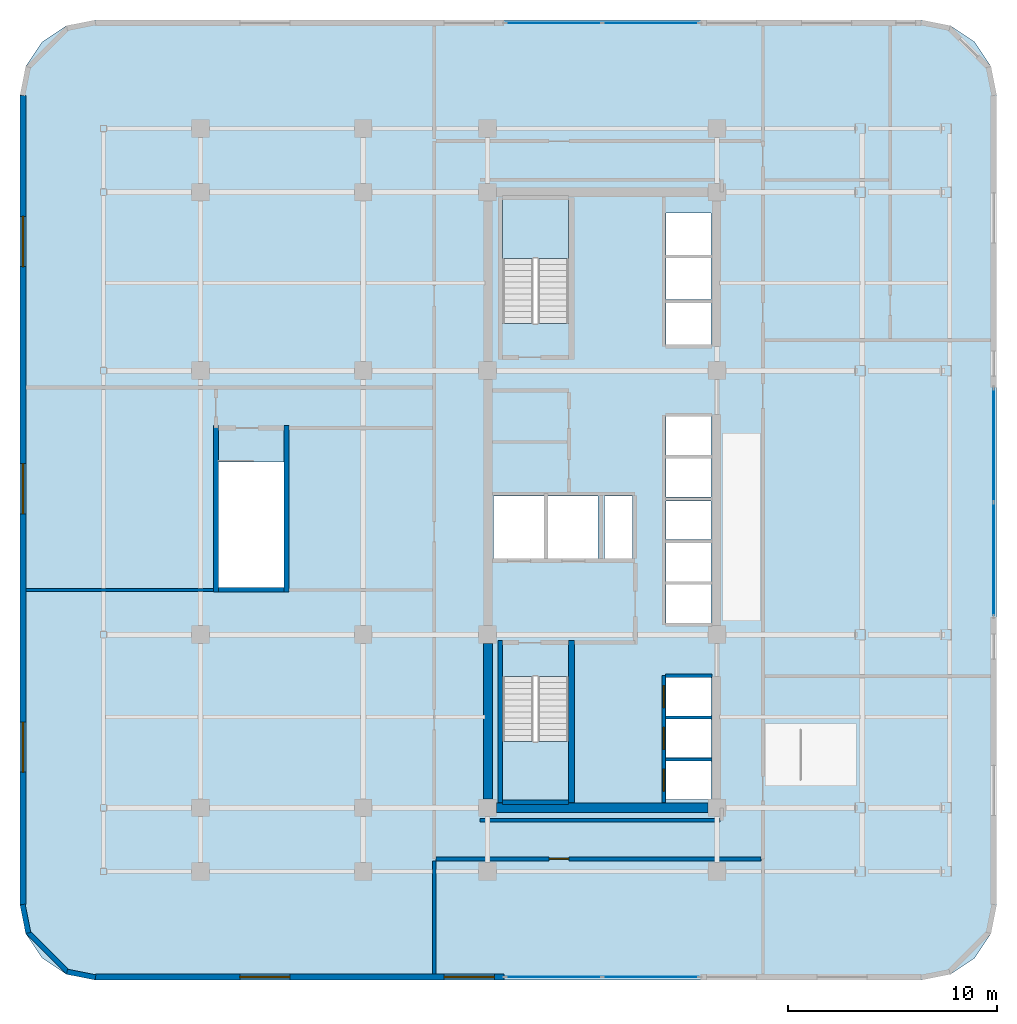
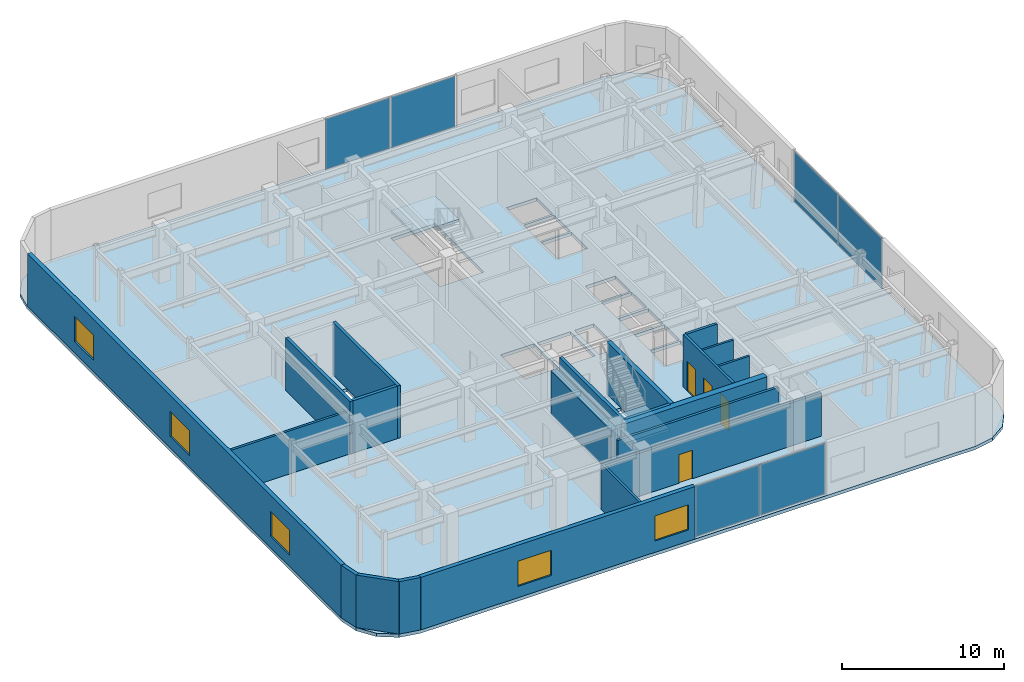
# One storey, part 8 of 13: 21 walls, 6 plates, 5 windows, 4 doors, 3 slabs, 9 openings, 5 elements without a shape of their own.
"""IFC4 building model written with IfcOpenShell, lengths in metres."""

from ifc_helpers import new_model, si_unit, direction, frame, frame_2d, origin, origin_2d, place, context, subcontext, project, spatial, polyline, rectangle, outline, extrude, material, layer, layer_set, type_object, element, fill, aggregate, save


model = new_model("IFC4")

# Units and contexts
model_context = context("Model", 3, precision=1e-05, world=origin(), true_north=direction((0.0, 1.0)))
body_context = subcontext(model_context, "Body", "Model", "MODEL_VIEW")
ifc_project = project(units=[si_unit("LENGTHUNIT", "METRE"), si_unit("AREAUNIT", "SQUARE_METRE"), si_unit("VOLUMEUNIT", "CUBIC_METRE"), si_unit("PLANEANGLEUNIT", "RADIAN"), si_unit("MASSUNIT", "GRAM", prefix="KILO")], contexts=[model_context])

# Site, building, storey
site_placement = place(None, origin())
site = spatial("IfcSite", under=ifc_project, at=site_placement, CompositionType="ELEMENT")
building_placement = place(site_placement, origin())
building = spatial("IfcBuilding", under=site, at=building_placement, Name="Ochreholt Gables", CompositionType="ELEMENT")
storey_placement = place(building_placement, frame((0.0, 0.0, 60.0)))
storey = spatial("IfcBuildingStorey", under=building, at=storey_placement, Name="L15", CompositionType="ELEMENT", Elevation=60.0)

# Curtain wall, plates
ifc_material_1 = material(Name="Unitised Aluminium and Triple Glazing", Category="aluminium")
ifc_layer_1 = layer(ifc_material_1, 0.219970703125, Name="Unitised Aluminium and Triple Glazing")
ifc_layer_set_1 = layer_set([ifc_layer_1], Name="Unitised Aluminium and Triple Glazing")
curtain_wall_type = type_object("IfcCurtainWallType", Name="CW-SYS6", PredefinedType="NOTDEFINED", material=ifc_layer_set_1)
curtain_wall_1_placement = place(storey_placement, origin())
curtain_wall_1 = element("IfcCurtainWall", 1, at=curtain_wall_1_placement, inside=storey, type_object=curtain_wall_type, Name="L15 South Unitised Curtain Wall", PredefinedType="NOTDEFINED")
ifc_material_2 = material(Name="Triple Low-E Insulating Glass", Category="glass")
ifc_layer_2 = layer(ifc_material_2, 0.0419921875, Name="Triple Low-E Insulating Glass")
ifc_layer_set_2 = layer_set([ifc_layer_2], Name="Triple Low-E Insulating Glass")
plate_type = type_object("IfcPlateType", Name="CW-PNL-42", PredefinedType="CURTAIN_PANEL", material=ifc_layer_set_2)
plate_1_placement = place(storey_placement, frame((27.36865234375, 1.14501953125, 0.074951171875), z_axis=(0.0, 0.0, 1.0), x_axis=(1.0, 0.0, 0.0)))
plate_1 = element("IfcPlate", 2, at=plate_1_placement, type_object=plate_type, Name="CW-6 panel 1.1", PredefinedType="CURTAIN_PANEL", context=body_context, shape_type="SweptSolid", body=[
    extrude(rectangle(XDim=4.58740234375, YDim=0.0419921875, at=origin_2d()), origin(), (0.0, 0.0, 1.0), 3.81005859375),
])
plate_2_placement = place(storey_placement, frame((32.03125, 1.14501953125, 0.074951171875), z_axis=(0.0, 0.0, 1.0), x_axis=(1.0, 0.0, 0.0)))
plate_2 = element("IfcPlate", 3, at=plate_2_placement, type_object=plate_type, Name="CW-6 panel 2.1", PredefinedType="CURTAIN_PANEL", context=body_context, shape_type="SweptSolid", body=[
    extrude(rectangle(XDim=4.58740234375, YDim=0.0419921875, at=origin_2d()), origin(), (0.0, 0.0, 1.0), 3.81005859375),
])
aggregate(curtain_wall_1, [plate_1, plate_2])

curtain_wall_2_placement = place(storey_placement, origin())
curtain_wall_2 = element("IfcCurtainWall", 4, at=curtain_wall_2_placement, inside=storey, type_object=curtain_wall_type, Name="L15 East Unitised Curtain Wall", PredefinedType="NOTDEFINED")
plate_3_placement = place(storey_placement, frame((48.455078125, 21.168701171875, 0.074951171875), z_axis=(0.0, 0.0, 1.0), x_axis=(0.0, 1.0, 0.0)))
plate_3 = element("IfcPlate", 5, at=plate_3_placement, type_object=plate_type, Name="CW-6 panel 1.1", PredefinedType="CURTAIN_PANEL", context=body_context, shape_type="SweptSolid", body=[
    extrude(rectangle(XDim=5.387451171875, YDim=0.0419921875, at=origin_2d()), origin(), (0.0, 0.0, 1.0), 3.81005859375),
])
plate_4_placement = place(storey_placement, frame((48.455078125, 26.63134765625, 0.074951171875), z_axis=(0.0, 0.0, 1.0), x_axis=(0.0, 1.0, 0.0)))
plate_4 = element("IfcPlate", 6, at=plate_4_placement, type_object=plate_type, Name="CW-6 panel 2.1", PredefinedType="CURTAIN_PANEL", context=body_context, shape_type="SweptSolid", body=[
    extrude(rectangle(XDim=5.387451171875, YDim=0.0419921875, at=origin_2d()), origin(), (0.0, 0.0, 1.0), 3.81005859375),
])
aggregate(curtain_wall_2, [plate_3, plate_4])

curtain_wall_3_placement = place(storey_placement, origin())
curtain_wall_3 = element("IfcCurtainWall", 7, at=curtain_wall_3_placement, inside=storey, type_object=curtain_wall_type, Name="L15 North Unitised Curtain Wall", PredefinedType="NOTDEFINED")
plate_5_placement = place(storey_placement, frame((32.03125, 46.85498046875, 0.074951171875), z_axis=(0.0, 0.0, 1.0), x_axis=(-1.0, 0.0, 0.0)))
plate_5 = element("IfcPlate", 8, at=plate_5_placement, type_object=plate_type, Name="CW-6 panel 1.1", PredefinedType="CURTAIN_PANEL", context=body_context, shape_type="SweptSolid", body=[
    extrude(rectangle(XDim=4.58740234375, YDim=0.0419921875, at=origin_2d()), origin(), (0.0, 0.0, 1.0), 3.81005859375),
])
plate_6_placement = place(storey_placement, frame((27.36865234375, 46.85498046875, 0.074951171875), z_axis=(0.0, 0.0, 1.0), x_axis=(-1.0, 0.0, 0.0)))
plate_6 = element("IfcPlate", 9, at=plate_6_placement, type_object=plate_type, Name="CW-6 panel 2.1", PredefinedType="CURTAIN_PANEL", context=body_context, shape_type="SweptSolid", body=[
    extrude(rectangle(XDim=4.58740234375, YDim=0.0419921875, at=origin_2d()), origin(), (0.0, 0.0, 1.0), 3.81005859375),
])
aggregate(curtain_wall_3, [plate_5, plate_6])

# Stair, slab
ifc_material_3 = material(Name="Concrete 40 MPa", Category="concrete")
stair_type_1 = type_object("IfcStairType", Name="STAIR-CORE-ST-1", PredefinedType="HALF_TURN_STAIR", material=ifc_material_3)
stair_1_placement = place(storey_placement, origin())
stair_1 = element("IfcStair", 10, at=stair_1_placement, inside=storey, type_object=stair_type_1, Name="L15 Core Exit Stair 1", PredefinedType="HALF_TURN_STAIR")
ifc_layer_3 = layer(ifc_material_3, 0.199951171875, Name="Concrete 40 MPa")
ifc_layer_set_3 = layer_set([ifc_layer_3], Name="Concrete 40 MPa")
slab_type_1 = type_object("IfcSlabType", Name="LANDING-RC200", PredefinedType="LANDING", material=ifc_layer_set_3)
slab_1_placement = place(storey_placement, frame((0.0, 0.0, 1.89990234375)))
slab_1 = element("IfcSlab", 11, at=slab_1_placement, type_object=slab_type_1, Name="ST-1 landing 1", PredefinedType="LANDING", context=body_context, shape_type="SweptSolid", body=[
    extrude(outline(polyline([(24.919921875, 12.43798828125), (24.919921875, 9.52001953125), (28.080078125, 9.52001953125), (28.080078125, 12.43798828125), (24.919921875, 12.43798828125)])), origin(), (0.0, 0.0, 1.0), 0.2001953125),
])
aggregate(stair_1, [slab_1])

stair_type_2 = type_object("IfcStairType", Name="STAIR-CORE-ST-2", PredefinedType="HALF_TURN_STAIR", material=ifc_material_3)
stair_2_placement = place(storey_placement, origin())
stair_2 = element("IfcStair", 12, at=stair_2_placement, inside=storey, type_object=stair_type_2, Name="L15 Core Exit Stair 2", PredefinedType="HALF_TURN_STAIR")
slab_2_placement = place(storey_placement, frame((0.0, 0.0, 1.89990234375)))
slab_2 = element("IfcSlab", 13, at=slab_2_placement, type_object=slab_type_1, Name="ST-2 landing 1", PredefinedType="LANDING", context=body_context, shape_type="SweptSolid", body=[
    extrude(outline(polyline([(28.080078125, 35.56201171875), (28.080078125, 38.47998046875), (24.919921875, 38.47998046875), (24.919921875, 35.56201171875), (28.080078125, 35.56201171875)])), origin(), (0.0, 0.0, 1.0), 0.2001953125),
])
aggregate(stair_2, [slab_2])

# Slab
ifc_layer_4 = layer(ifc_material_3, 0.25, Name="Concrete 40 MPa")
ifc_layer_set_4 = layer_set([ifc_layer_4], Name="Concrete 40 MPa")
slab_type_2 = type_object("IfcSlabType", Name="SLAB-COM-250", PredefinedType="FLOOR", material=ifc_layer_set_4)
slab_3_placement = place(storey_placement, frame((0.0, 0.0, -0.25)))
element("IfcSlab", 14, at=slab_3_placement, inside=storey, type_object=slab_type_2, Name="L15 Structural Floor Slab", PredefinedType="FLOOR", context=body_context, shape_type="SweptSolid", body=[
    extrude(outline(polyline([(1.800048828125, 4.60009765625), (2.073974609375, 3.222412109375), (2.8544921875, 2.054443359375), (4.022216796875, 1.27392578125), (5.39990234375, 1.0), (45.0, 1.0), (46.377685546875, 1.27392578125), (47.545654296875, 2.054443359375), (48.325927734375, 3.222412109375), (48.60009765625, 4.60009765625), (48.60009765625, 43.39990234375), (48.325927734375, 44.777587890625), (47.545654296875, 45.945556640625), (46.377685546875, 46.72607421875), (45.0, 47.0), (5.39990234375, 47.0), (4.022216796875, 46.72607421875), (2.8544921875, 45.945556640625), (2.073974609375, 44.777587890625), (1.800048828125, 43.39990234375), (1.800048828125, 4.60009765625)]), holes=[polyline([(24.919921875, 15.539306640625), (24.919921875, 9.52001953125), (28.080078125, 9.52001953125), (28.080078125, 15.539306640625), (24.919921875, 15.539306640625)]), polyline([(28.080078125, 32.460693359375), (28.080078125, 38.47998046875), (24.919921875, 38.47998046875), (24.919921875, 32.460693359375), (28.080078125, 32.460693359375)]), polyline([(11.300048828125, 25.819091796875), (11.300048828125, 19.800048828125), (14.4599609375, 19.800048828125), (14.4599609375, 25.819091796875), (11.300048828125, 25.819091796875)]), polyline([(24.5, 21.199951171875), (26.89990234375, 21.199951171875), (26.89990234375, 24.199951171875), (24.5, 24.199951171875), (24.5, 21.199951171875)]), polyline([(27.10009765625, 21.199951171875), (29.5, 21.199951171875), (29.5, 24.199951171875), (27.10009765625, 24.199951171875), (27.10009765625, 21.199951171875)]), polyline([(32.75, 9.64990234375), (34.89990234375, 9.64990234375), (34.89990234375, 11.5), (32.75, 11.5), (32.75, 9.64990234375)]), polyline([(32.75, 11.64990234375), (34.89990234375, 11.64990234375), (34.89990234375, 13.5), (32.75, 13.5), (32.75, 11.64990234375)]), polyline([(32.75, 13.64990234375), (34.89990234375, 13.64990234375), (34.89990234375, 15.5), (32.75, 15.5), (32.75, 13.64990234375)]), polyline([(32.75, 18.10009765625), (34.89990234375, 18.10009765625), (34.89990234375, 19.949951171875), (32.75, 19.949951171875), (32.75, 18.10009765625)]), polyline([(32.75, 20.10009765625), (34.89990234375, 20.10009765625), (34.89990234375, 21.949951171875), (32.75, 21.949951171875), (32.75, 20.10009765625)]), polyline([(32.75, 22.10009765625), (34.89990234375, 22.10009765625), (34.89990234375, 23.949951171875), (32.75, 23.949951171875), (32.75, 22.10009765625)]), polyline([(32.75, 24.14990234375), (34.89990234375, 24.14990234375), (34.89990234375, 26.0), (32.75, 26.0), (32.75, 24.14990234375)]), polyline([(32.75, 26.14990234375), (34.89990234375, 26.14990234375), (34.89990234375, 28.0), (32.75, 28.0), (32.75, 26.14990234375)]), polyline([(32.75, 31.449951171875), (34.89990234375, 31.449951171875), (34.89990234375, 33.449951171875), (32.75, 33.449951171875), (32.75, 31.449951171875)]), polyline([(32.75, 33.60009765625), (34.89990234375, 33.60009765625), (34.89990234375, 35.60009765625), (32.75, 35.60009765625), (32.75, 33.60009765625)]), polyline([(32.75, 35.75), (34.89990234375, 35.75), (34.89990234375, 37.75), (32.75, 37.75), (32.75, 35.75)]), polyline([(29.800048828125, 21.199951171875), (31.14990234375, 21.199951171875), (31.14990234375, 24.199951171875), (29.800048828125, 24.199951171875), (29.800048828125, 21.199951171875)])]), origin(), (0.0, 0.0, 1.0), 0.25),
])

# Walls
ifc_material_4 = material(Name="Concrete 60 MPa", Category="concrete")
ifc_layer_5 = layer(ifc_material_4, 0.449951171875, Name="Concrete 60 MPa")
ifc_layer_set_5 = layer_set([ifc_layer_5], Name="Concrete 60 MPa")
wall_type_1 = type_object("IfcWallType", Name="WALL-CSW-450", PredefinedType="SHEAR", material=ifc_layer_set_5)
wall_1_placement = place(storey_placement, frame((24.22509765625, 9.675048828125, 0.0), z_axis=(0.0, 0.0, 1.0), x_axis=(0.0, 1.0, 0.0)))
element("IfcWall", 15, at=wall_1_placement, inside=storey, type_object=wall_type_1, Name="L15 Core West Shear Wall WS", PredefinedType="SHEAR", context=body_context, shape_type="SweptSolid", body=[
    extrude(rectangle(XDim=7.449951171875, YDim=0.449951171875, at=frame_2d((3.72509765625, 0.0))), origin(), (0.0, 0.0, 1.0), 3.26708984375),
])
wall_2_placement = place(storey_placement, frame((24.625, 9.25, 0.0), z_axis=(0.0, 0.0, 1.0), x_axis=(1.0, 0.0, 0.0)))
element("IfcWall", 16, at=wall_2_placement, inside=storey, type_object=wall_type_1, Name="L15 Core South Shear Wall", PredefinedType="SHEAR", context=body_context, shape_type="SweptSolid", body=[
    extrude(rectangle(XDim=10.14990234375, YDim=0.449951171875, at=frame_2d((5.074951171875, 0.0))), origin(), (0.0, 0.0, 1.0), 3.9599609375),
])

# Wall, openings, windows
ifc_material_5 = material(Name="Precast concrete 40 MPa", Category="concrete")
ifc_layer_6 = layer(ifc_material_5, 0.2900390625, Name="Precast concrete 40 MPa")
ifc_layer_set_6 = layer_set([ifc_layer_6], Name="Precast concrete 40 MPa")
wall_type_2 = type_object("IfcWallType", Name="WALL-EXT-290", PredefinedType="SOLIDWALL", material=ifc_layer_set_6)
wall_3_placement = place(storey_placement, frame((5.419921875, 1.14501953125, 0.0), z_axis=(0.0, 0.0, 1.0), x_axis=(1.0, 0.0, 0.0)))
wall_3 = element("IfcWall", 17, at=wall_3_placement, inside=storey, type_object=wall_type_2, Name="L15 South Facade Wall 1", PredefinedType="SOLIDWALL", context=body_context, shape_type="SweptSolid", body=[
    extrude(rectangle(XDim=19.580078125, YDim=0.2900390625, at=frame_2d((9.7900390625, 0.0))), origin(), (0.0, 0.0, 1.0), 3.9599609375),
])
opening_1_placement = place(wall_3_placement, frame((6.9150390625, 0.0, 0.85009765625)))
opening_1 = element("IfcOpeningElement", 18, at=opening_1_placement, cuts=wall_3, Name="Opening WN-5", PredefinedType="OPENING", context=body_context, shape_type="SweptSolid", body=[
    extrude(rectangle(XDim=2.39990234375, YDim=1.89990234375, at=frame_2d((1.199951171875, 0.949951171875))), frame((0.0, 0.155029296875, 0.0), z_axis=(0.0, -1.0, 0.0), x_axis=(1.0, 0.0, 0.0)), (0.0, 0.0, 1.0), 0.31005859375),
])
opening_2_placement = place(wall_3_placement, frame((16.705078125, 0.0, 0.85009765625)))
opening_2 = element("IfcOpeningElement", 19, at=opening_2_placement, cuts=wall_3, Name="Opening WN-5", PredefinedType="OPENING", context=body_context, shape_type="SweptSolid", body=[
    extrude(rectangle(XDim=2.39990234375, YDim=1.89990234375, at=frame_2d((1.199951171875, 0.949951171875))), frame((0.0, 0.155029296875, 0.0), z_axis=(0.0, -1.0, 0.0), x_axis=(1.0, 0.0, 0.0)), (0.0, 0.0, 1.0), 0.31005859375),
])
ifc_material_6 = material(Name="Triple-Glazed Thermally Broken Aluminium Window", Category="aluminium")
window_type = type_object("IfcWindowType", Name="WIN-COM-2400", PartitioningType="SINGLE_PANEL", PredefinedType="WINDOW", material=ifc_material_6)
window_1_placement = place(opening_1_placement, origin())
window_1 = element("IfcWindow", 20, at=window_1_placement, inside=storey, type_object=window_type, Name="L15 Window W-EXT-S1-L15-1", OverallHeight=1.89990234375, OverallWidth=2.39990234375, PartitioningType="SINGLE_PANEL", PredefinedType="WINDOW", context=body_context, shape_type="SweptSolid", body=[
    extrude(rectangle(XDim=2.39990234375, YDim=1.89990234375, at=frame_2d((1.199951171875, 0.949951171875))), frame((0.0, 0.030029296875, 0.0), z_axis=(0.0, -1.0, 0.0), x_axis=(1.0, 0.0, 0.0)), (0.0, 0.0, 1.0), 0.06005859375),
])
fill(opening_1, window_1)
window_2_placement = place(opening_2_placement, origin())
window_2 = element("IfcWindow", 21, at=window_2_placement, inside=storey, type_object=window_type, Name="L15 Window W-EXT-S1-L15-2", OverallHeight=1.89990234375, OverallWidth=2.39990234375, PartitioningType="SINGLE_PANEL", PredefinedType="WINDOW", context=body_context, shape_type="SweptSolid", body=[
    extrude(rectangle(XDim=2.39990234375, YDim=1.89990234375, at=frame_2d((1.199951171875, 0.949951171875))), frame((0.0, 0.030029296875, 0.0), z_axis=(0.0, -1.0, 0.0), x_axis=(1.0, 0.0, 0.0)), (0.0, 0.0, 1.0), 0.06005859375),
])
fill(opening_2, window_2)

wall_4_placement = place(storey_placement, frame((1.945068359375, 43.3798828125, 0.0), z_axis=(0.0, 0.0, 1.0), x_axis=(0.0, -1.0, 0.0)))
wall_4 = element("IfcWall", 22, at=wall_4_placement, inside=storey, type_object=wall_type_2, Name="L15 West Exterior Wall", PredefinedType="SOLIDWALL", context=body_context, shape_type="SweptSolid", body=[
    extrude(rectangle(XDim=38.759765625, YDim=0.2900390625, at=frame_2d((19.3798828125, 0.0))), origin(), (0.0, 0.0, 1.0), 3.9599609375),
])
opening_3_placement = place(wall_4_placement, frame((30.02490234375, 0.0, 0.85009765625)))
opening_3 = element("IfcOpeningElement", 23, at=opening_3_placement, cuts=wall_4, Name="Opening WN-5", PredefinedType="OPENING", context=body_context, shape_type="SweptSolid", body=[
    extrude(rectangle(XDim=2.39990234375, YDim=1.89990234375, at=frame_2d((1.199951171875, 0.949951171875))), frame((0.0, 0.155029296875, 0.0), z_axis=(0.0, -1.0, 0.0), x_axis=(1.0, 0.0, 0.0)), (0.0, 0.0, 1.0), 0.31005859375),
])
opening_4_placement = place(wall_4_placement, frame((17.639892578125, 0.0, 0.85009765625)))
opening_4 = element("IfcOpeningElement", 24, at=opening_4_placement, cuts=wall_4, Name="Opening WN-5", PredefinedType="OPENING", context=body_context, shape_type="SweptSolid", body=[
    extrude(rectangle(XDim=2.39990234375, YDim=1.89990234375, at=frame_2d((1.199951171875, 0.949951171875))), frame((0.0, 0.155029296875, 0.0), z_axis=(0.0, -1.0, 0.0), x_axis=(1.0, 0.0, 0.0)), (0.0, 0.0, 1.0), 0.31005859375),
])
opening_5_placement = place(wall_4_placement, frame((5.794921875, 0.0, 0.85009765625)))
opening_5 = element("IfcOpeningElement", 25, at=opening_5_placement, cuts=wall_4, Name="Opening WN-5", PredefinedType="OPENING", context=body_context, shape_type="SweptSolid", body=[
    extrude(rectangle(XDim=2.39990234375, YDim=1.89990234375, at=frame_2d((1.199951171875, 0.949951171875))), frame((0.0, 0.155029296875, 0.0), z_axis=(0.0, -1.0, 0.0), x_axis=(1.0, 0.0, 0.0)), (0.0, 0.0, 1.0), 0.31005859375),
])
window_3_placement = place(opening_3_placement, origin())
window_3 = element("IfcWindow", 26, at=window_3_placement, inside=storey, type_object=window_type, Name="L15 Window W-EXT-W-L15-1", OverallHeight=1.89990234375, OverallWidth=2.39990234375, PartitioningType="SINGLE_PANEL", PredefinedType="WINDOW", context=body_context, shape_type="SweptSolid", body=[
    extrude(rectangle(XDim=2.39990234375, YDim=1.89990234375, at=frame_2d((1.199951171875, 0.949951171875))), frame((0.0, 0.030029296875, 0.0), z_axis=(0.0, -1.0, 0.0), x_axis=(1.0, 0.0, 0.0)), (0.0, 0.0, 1.0), 0.06005859375),
])
fill(opening_3, window_3)
window_4_placement = place(opening_4_placement, origin())
window_4 = element("IfcWindow", 27, at=window_4_placement, inside=storey, type_object=window_type, Name="L15 Window W-EXT-W-L15-2", OverallHeight=1.89990234375, OverallWidth=2.39990234375, PartitioningType="SINGLE_PANEL", PredefinedType="WINDOW", context=body_context, shape_type="SweptSolid", body=[
    extrude(rectangle(XDim=2.39990234375, YDim=1.89990234375, at=frame_2d((1.199951171875, 0.949951171875))), frame((0.0, 0.030029296875, 0.0), z_axis=(0.0, -1.0, 0.0), x_axis=(1.0, 0.0, 0.0)), (0.0, 0.0, 1.0), 0.06005859375),
])
fill(opening_4, window_4)
window_5_placement = place(opening_5_placement, origin())
window_5 = element("IfcWindow", 28, at=window_5_placement, inside=storey, type_object=window_type, Name="L15 Window W-EXT-W-L15-3", OverallHeight=1.89990234375, OverallWidth=2.39990234375, PartitioningType="SINGLE_PANEL", PredefinedType="WINDOW", context=body_context, shape_type="SweptSolid", body=[
    extrude(rectangle(XDim=2.39990234375, YDim=1.89990234375, at=frame_2d((1.199951171875, 0.949951171875))), frame((0.0, 0.030029296875, 0.0), z_axis=(0.0, -1.0, 0.0), x_axis=(1.0, 0.0, 0.0)), (0.0, 0.0, 1.0), 0.06005859375),
])
fill(opening_5, window_5)

# Walls
ifc_layer_7 = layer(ifc_material_5, 0.25, Name="Precast concrete 40 MPa")
ifc_layer_set_7 = layer_set([ifc_layer_7], Name="Precast concrete 40 MPa")
wall_type_3 = type_object("IfcWallType", Name="WALL-EXT-CNR", PredefinedType="SOLIDWALL", material=ifc_layer_set_7)
wall_5_placement = place(storey_placement, frame((1.92431640625, 4.616455078125, 0.0), z_axis=(0.0, 0.0, 1.0), x_axis=(0.19496651342, -0.980809899341, 0.0)))
element("IfcWall", 29, at=wall_5_placement, inside=storey, type_object=wall_type_3, Name="L15 Rounded Corner Wall SW-1", PredefinedType="SOLIDWALL", context=body_context, shape_type="SweptSolid", body=[
    extrude(rectangle(XDim=1.388671875, YDim=0.25, at=frame_2d((0.6943359375, 0.0))), origin(), (0.0, 0.0, 1.0), 3.9599609375),
])
wall_6_placement = place(storey_placement, frame((2.16796875, 3.304931640625, 0.0), z_axis=(0.0, 0.0, 1.0), x_axis=(0.707106781187, -0.707106781187, 0.0)))
element("IfcWall", 30, at=wall_6_placement, inside=storey, type_object=wall_type_3, Name="L15 Rounded Corner Wall SW-2", PredefinedType="SOLIDWALL", context=body_context, shape_type="SweptSolid", body=[
    extrude(rectangle(XDim=2.7392578125, YDim=0.25, at=frame_2d((1.36962890625, 0.0))), origin(), (0.0, 0.0, 1.0), 3.9599609375),
])
wall_7_placement = place(storey_placement, frame((4.054443359375, 1.39501953125, 0.0), z_axis=(0.0, 0.0, 1.0), x_axis=(0.980809899341, -0.19496651342, 0.0)))
element("IfcWall", 31, at=wall_7_placement, inside=storey, type_object=wall_type_3, Name="L15 Rounded Corner Wall SW-3", PredefinedType="SOLIDWALL", context=body_context, shape_type="SweptSolid", body=[
    extrude(rectangle(XDim=1.388671875, YDim=0.25, at=frame_2d((0.6943359375, 0.0))), origin(), (0.0, 0.0, 1.0), 3.9599609375),
])

# Wall, opening, door
ifc_material_7 = material(Name="Fire-Rated Gypsum Acoustic Partition", Category="gypsum")
ifc_layer_8 = layer(ifc_material_7, 0.179931640625, Name="Fire-Rated Gypsum Acoustic Partition")
ifc_layer_set_8 = layer_set([ifc_layer_8], Name="Fire-Rated Gypsum Acoustic Partition")
wall_type_4 = type_object("IfcWallType", Name="WALL-INT-CR180", PredefinedType="STANDARD", material=ifc_layer_set_8)
wall_8_placement = place(storey_placement, frame((21.739990234375, 6.800048828125, 0.0), z_axis=(0.0, 0.0, 1.0), x_axis=(1.0, 0.0, 0.0)))
wall_8 = element("IfcWall", 32, at=wall_8_placement, inside=storey, type_object=wall_type_4, Name="L15 Interior Wall WI-CMCS-L15", PredefinedType="STANDARD", context=body_context, shape_type="SweptSolid", body=[
    extrude(rectangle(XDim=15.570068359375, YDim=0.179931640625, at=frame_2d((7.78515625, 0.0))), origin(), (0.0, 0.0, 1.0), 3.2490234375),
])
opening_6_placement = place(wall_8_placement, frame((5.409912109375, 0.0, 0.0)))
opening_6 = element("IfcOpeningElement", 33, at=opening_6_placement, cuts=wall_8, Name="Opening D-GN1", PredefinedType="OPENING", context=body_context, shape_type="SweptSolid", body=[
    extrude(rectangle(XDim=0.949951171875, YDim=2.14990234375, at=frame_2d((0.47509765625, 1.074951171875))), frame((0.0, 0.099853515625, 0.0), z_axis=(0.0, -1.0, 0.0), x_axis=(1.0, 0.0, 0.0)), (0.0, 0.0, 1.0), 0.199951171875),
])
ifc_material_8 = material(Name="Engineered Oak Timber", Category="wood")
door_type_1 = type_object("IfcDoorType", Name="DR-INT-GEN950", OperationType="NOTDEFINED", PredefinedType="DOOR", material=ifc_material_8)
door_1_placement = place(opening_6_placement, origin())
door_1 = element("IfcDoor", 34, at=door_1_placement, inside=storey, type_object=door_type_1, Name="L15 Door D-CMCS-L15", OperationType="SINGLE_SWING_LEFT", OverallHeight=2.14990234375, OverallWidth=0.949951171875, PredefinedType="DOOR", context=body_context, shape_type="SweptSolid", body=[
    extrude(rectangle(XDim=0.949951171875, YDim=2.14990234375, at=frame_2d((0.47509765625, 1.074951171875))), frame((0.0, 0.02490234375, 0.0), z_axis=(0.0, -1.0, 0.0), x_axis=(1.0, 0.0, 0.0)), (0.0, 0.0, 1.0), 0.050048828125),
])
fill(opening_6, door_1)

# Walls
wall_9_placement = place(storey_placement, frame((23.85009765625, 8.64990234375, 0.0), z_axis=(0.0, 0.0, 1.0), x_axis=(1.0, 0.0, 0.0)))
element("IfcWall", 35, at=wall_9_placement, inside=storey, type_object=wall_type_4, Name="L15 Interior Wall WI-CMCS2-L15", PredefinedType="STANDARD", context=body_context, shape_type="SweptSolid", body=[
    extrude(rectangle(XDim=11.47998046875, YDim=0.179931640625, at=frame_2d((5.739990234375, 0.0))), origin(), (0.0, 0.0, 1.0), 3.2490234375),
])
ifc_material_9 = material(Name="Gypsum Acoustic Stud Partition", Category="gypsum")
ifc_layer_9 = layer(ifc_material_9, 0.159912109375, Name="Gypsum Acoustic Stud Partition")
ifc_layer_set_9 = layer_set([ifc_layer_9], Name="Gypsum Acoustic Stud Partition")
wall_type_5 = type_object("IfcWallType", Name="WALL-INT-PT160", PredefinedType="PARTITIONING", material=ifc_layer_set_9)
wall_10_placement = place(storey_placement, frame((21.64990234375, 1.2900390625, 0.0), z_axis=(0.0, 0.0, 1.0), x_axis=(0.0, 1.0, 0.0)))
element("IfcWall", 36, at=wall_10_placement, inside=storey, type_object=wall_type_5, Name="L15 Interior Wall WI-CMCWS-L15", PredefinedType="PARTITIONING", context=body_context, shape_type="SweptSolid", body=[
    extrude(rectangle(XDim=5.419921875, YDim=0.159912109375, at=frame_2d((2.7099609375, 0.0))), origin(), (0.0, 0.0, 1.0), 3.408935546875),
])
wall_11_placement = place(storey_placement, frame((2.090087890625, 19.68994140625, 0.0), z_axis=(0.0, 0.0, 1.0), x_axis=(1.0, 0.0, 0.0)))
element("IfcWall", 37, at=wall_11_placement, inside=storey, type_object=wall_type_5, Name="L15 Interior Wall WI-CMWM1-L15", PredefinedType="PARTITIONING", context=body_context, shape_type="SweptSolid", body=[
    extrude(rectangle(XDim=8.989990234375, YDim=0.159912109375, at=frame_2d((4.4951171875, 0.0))), origin(), (0.0, 0.0, 1.0), 3.2490234375),
])
ifc_material_10 = material(Name="Gypsum Shaftliner and Steel Stud", Category="steel")
ifc_layer_10 = layer(ifc_material_10, 0.14990234375, Name="Gypsum Shaftliner and Steel Stud")
ifc_layer_set_10 = layer_set([ifc_layer_10], Name="Gypsum Shaftliner and Steel Stud")
wall_type_6 = type_object("IfcWallType", Name="WALL-INT-SH150", PredefinedType="STANDARD", material=ifc_layer_set_10)
for number, where, z_axis, x_axis, name in (
    (38, (32.739990234375, 11.570068359375, 0.0), (0.0, 0.0, 1.0), (1.0, 0.0, 0.0), "L15 Interior Wall WI-LFL-D1-L15"),
    (39, (32.739990234375, 13.570068359375, 0.0), (0.0, 0.0, 1.0), (1.0, 0.0, 0.0), "L15 Interior Wall WI-LFL-D2-L15"),
):
    element("IfcWall", number, at=place(storey_placement, frame(where, z_axis=z_axis, x_axis=x_axis)), inside=storey, type_object=wall_type_6, Name=name, PredefinedType="STANDARD", context=body_context, shape_type="SweptSolid", body=[
        extrude(rectangle(XDim=2.2099609375, YDim=0.14990234375, at=frame_2d((1.10498046875, 0.0))), origin(), (0.0, 0.0, 1.0), 3.9599609375),
    ])

# Wall, openings, doors
ifc_layer_11 = layer(ifc_material_10, 0.179931640625, Name="Gypsum Shaftliner and Steel Stud")
ifc_layer_set_11 = layer_set([ifc_layer_11], Name="Gypsum Shaftliner and Steel Stud")
wall_type_7 = type_object("IfcWallType", Name="WALL-INT-SH180", PredefinedType="STANDARD", material=ifc_layer_set_11)
wall_12_placement = place(storey_placement, frame((32.64990234375, 9.5, 0.0), z_axis=(0.0, 0.0, 1.0), x_axis=(0.0, 1.0, 0.0)))
wall_12 = element("IfcWall", 40, at=wall_12_placement, inside=storey, type_object=wall_type_7, Name="L15 Interior Wall WI-LFL-FR-L15", PredefinedType="STANDARD", context=body_context, shape_type="SweptSolid", body=[
    extrude(rectangle(XDim=6.080078125, YDim=0.179931640625, at=frame_2d((3.0400390625, 0.0))), origin(), (0.0, 0.0, 1.0), 3.9599609375),
])
opening_7_placement = place(wall_12_placement, frame((0.550048828125, 0.0, 0.0)))
opening_7 = element("IfcOpeningElement", 41, at=opening_7_placement, cuts=wall_12, Name="Opening LD-PX", PredefinedType="OPENING", context=body_context, shape_type="SweptSolid", body=[
    extrude(rectangle(XDim=1.050048828125, YDim=2.199951171875, at=frame_2d((0.52490234375, 1.10009765625))), frame((0.0, 0.099853515625, 0.0), z_axis=(0.0, -1.0, 0.0), x_axis=(1.0, 0.0, 0.0)), (0.0, 0.0, 1.0), 0.199951171875),
])
opening_8_placement = place(wall_12_placement, frame((2.550048828125, 0.0, 0.0)))
opening_8 = element("IfcOpeningElement", 42, at=opening_8_placement, cuts=wall_12, Name="Opening LD-PX", PredefinedType="OPENING", context=body_context, shape_type="SweptSolid", body=[
    extrude(rectangle(XDim=1.050048828125, YDim=2.199951171875, at=frame_2d((0.52490234375, 1.10009765625))), frame((0.0, 0.099853515625, 0.0), z_axis=(0.0, -1.0, 0.0), x_axis=(1.0, 0.0, 0.0)), (0.0, 0.0, 1.0), 0.199951171875),
])
opening_9_placement = place(wall_12_placement, frame((4.550048828125, 0.0, 0.0)))
opening_9 = element("IfcOpeningElement", 43, at=opening_9_placement, cuts=wall_12, Name="Opening LD-PX", PredefinedType="OPENING", context=body_context, shape_type="SweptSolid", body=[
    extrude(rectangle(XDim=1.050048828125, YDim=2.199951171875, at=frame_2d((0.52490234375, 1.10009765625))), frame((0.0, 0.099853515625, 0.0), z_axis=(0.0, -1.0, 0.0), x_axis=(1.0, 0.0, 0.0)), (0.0, 0.0, 1.0), 0.199951171875),
])
ifc_material_11 = material(Name="Stainless Steel", Category="steel")
door_type_2 = type_object("IfcDoorType", Name="DR-LFT-PX1050", OperationType="NOTDEFINED", PredefinedType="DOOR", material=ifc_material_11)
door_2_placement = place(opening_7_placement, origin())
door_2 = element("IfcDoor", 44, at=door_2_placement, inside=storey, type_object=door_type_2, Name="L15 Door LD-L1-L15", OperationType="SLIDING_TO_LEFT", OverallHeight=2.199951171875, OverallWidth=1.050048828125, PredefinedType="DOOR", context=body_context, shape_type="SweptSolid", body=[
    extrude(rectangle(XDim=1.050048828125, YDim=2.199951171875, at=frame_2d((0.52490234375, 1.10009765625))), frame((0.0, 0.02490234375, 0.0), z_axis=(0.0, -1.0, 0.0), x_axis=(1.0, 0.0, 0.0)), (0.0, 0.0, 1.0), 0.050048828125),
])
fill(opening_7, door_2)
door_3_placement = place(opening_8_placement, origin())
door_3 = element("IfcDoor", 45, at=door_3_placement, inside=storey, type_object=door_type_2, Name="L15 Door LD-L2-L15", OperationType="SLIDING_TO_LEFT", OverallHeight=2.199951171875, OverallWidth=1.050048828125, PredefinedType="DOOR", context=body_context, shape_type="SweptSolid", body=[
    extrude(rectangle(XDim=1.050048828125, YDim=2.199951171875, at=frame_2d((0.52490234375, 1.10009765625))), frame((0.0, 0.02490234375, 0.0), z_axis=(0.0, -1.0, 0.0), x_axis=(1.0, 0.0, 0.0)), (0.0, 0.0, 1.0), 0.050048828125),
])
fill(opening_8, door_3)
door_4_placement = place(opening_9_placement, origin())
door_4 = element("IfcDoor", 46, at=door_4_placement, inside=storey, type_object=door_type_2, Name="L15 Door LD-L3-L15", OperationType="SLIDING_TO_LEFT", OverallHeight=2.199951171875, OverallWidth=1.050048828125, PredefinedType="DOOR", context=body_context, shape_type="SweptSolid", body=[
    extrude(rectangle(XDim=1.050048828125, YDim=2.199951171875, at=frame_2d((0.52490234375, 1.10009765625))), frame((0.0, 0.02490234375, 0.0), z_axis=(0.0, -1.0, 0.0), x_axis=(1.0, 0.0, 0.0)), (0.0, 0.0, 1.0), 0.050048828125),
])
fill(opening_9, door_4)

# Walls
wall_13_placement = place(storey_placement, frame((32.739990234375, 15.580078125, 0.0), z_axis=(0.0, 0.0, 1.0), x_axis=(1.0, 0.0, 0.0)))
element("IfcWall", 47, at=wall_13_placement, inside=storey, type_object=wall_type_7, Name="L15 Interior Wall WI-LFL-N-L15", PredefinedType="STANDARD", context=body_context, shape_type="SweptSolid", body=[
    extrude(rectangle(XDim=2.2099609375, YDim=0.179931640625, at=frame_2d((1.10498046875, 0.0))), origin(), (0.0, 0.0, 1.0), 3.9599609375),
])
ifc_layer_12 = layer(ifc_material_4, 0.300048828125, Name="Concrete 60 MPa")
ifc_layer_set_12 = layer_set([ifc_layer_12], Name="Concrete 60 MPa")
wall_type_8 = type_object("IfcWallType", Name="WALL-SPN-300", PredefinedType="SHEAR", material=ifc_layer_set_12)
wall_14_placement = place(storey_placement, frame((28.22998046875, 9.5, 0.0), z_axis=(0.0, 0.0, 1.0), x_axis=(0.0, 1.0, 0.0)))
element("IfcWall", 48, at=wall_14_placement, inside=storey, type_object=wall_type_8, Name="L15 Core South Spine Shear Wall", PredefinedType="SHEAR", context=body_context, shape_type="SweptSolid", body=[
    extrude(rectangle(XDim=7.760009765625, YDim=0.300048828125, at=frame_2d((3.8798828125, 0.0))), origin(), (0.0, 0.0, 1.0), 3.9599609375),
])
ifc_material_12 = material(Name="Concrete 50 MPa", Category="concrete")
ifc_layer_13 = layer(ifc_material_12, 0.219970703125, Name="Concrete 50 MPa")
ifc_layer_set_13 = layer_set([ifc_layer_13], Name="Concrete 50 MPa")
wall_type_9 = type_object("IfcWallType", Name="WALL-STW-220", PredefinedType="SHEAR", material=ifc_layer_set_13)
wall_15_placement = place(storey_placement, frame((24.81005859375, 9.5, 0.0), z_axis=(0.0, 0.0, 1.0), x_axis=(0.0, 1.0, 0.0)))
element("IfcWall", 49, at=wall_15_placement, inside=storey, type_object=wall_type_9, Name="L15 Exit Stair 1 West Wall", PredefinedType="SHEAR", context=body_context, shape_type="SweptSolid", body=[
    extrude(rectangle(XDim=7.760009765625, YDim=0.219970703125, at=frame_2d((3.8798828125, 0.0))), origin(), (0.0, 0.0, 1.0), 3.9599609375),
])
wall_16_placement = place(storey_placement, frame((24.919921875, 9.510009765625, 0.0), z_axis=(0.0, 0.0, 1.0), x_axis=(1.0, 0.0, 0.0)))
element("IfcWall", 50, at=wall_16_placement, inside=storey, type_object=wall_type_9, Name="L15 Exit Stair 1 South Wall", PredefinedType="SHEAR", context=body_context, shape_type="SweptSolid", body=[
    extrude(rectangle(XDim=3.16015625, YDim=0.219970703125, at=frame_2d((1.580078125, 0.0))), origin(), (0.0, 0.0, 1.0), 3.9599609375),
])
for number, where, z_axis, x_axis, name in (
    (51, (11.18994140625, 19.580078125, 0.0), (0.0, 0.0, 1.0), (0.0, 1.0, 0.0), "L15 Feature Stair ST-C1 West Wall"),
    (52, (14.570068359375, 19.580078125, 0.0), (0.0, 0.0, 1.0), (0.0, 1.0, 0.0), "L15 Feature Stair ST-C1 East Wall"),
):
    element("IfcWall", number, at=place(storey_placement, frame(where, z_axis=z_axis, x_axis=x_axis)), inside=storey, type_object=wall_type_9, Name=name, PredefinedType="SHEAR", context=body_context, shape_type="SweptSolid", body=[
        extrude(rectangle(XDim=7.97998046875, YDim=0.219970703125, at=frame_2d((3.989990234375, 0.0))), origin(), (0.0, 0.0, 1.0), 3.9599609375),
    ])
wall_17_placement = place(storey_placement, frame((11.300048828125, 19.68994140625, 0.0), z_axis=(0.0, 0.0, 1.0), x_axis=(1.0, 0.0, 0.0)))
element("IfcWall", 53, at=wall_17_placement, inside=storey, type_object=wall_type_9, Name="L15 Feature Stair ST-C1 South Wall", PredefinedType="SHEAR", context=body_context, shape_type="SweptSolid", body=[
    extrude(rectangle(XDim=3.159912109375, YDim=0.219970703125, at=frame_2d((1.580078125, 0.0))), origin(), (0.0, 0.0, 1.0), 3.9599609375),
])

save(model, "model.ifc")
